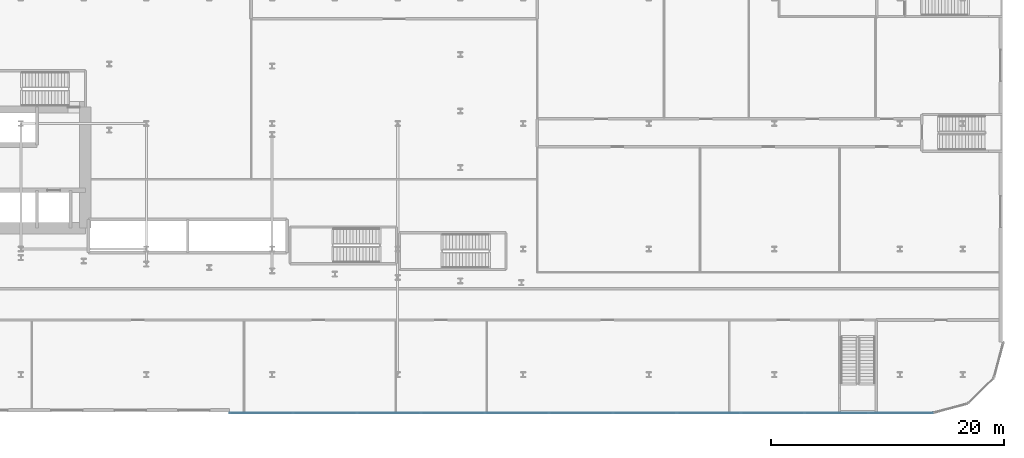
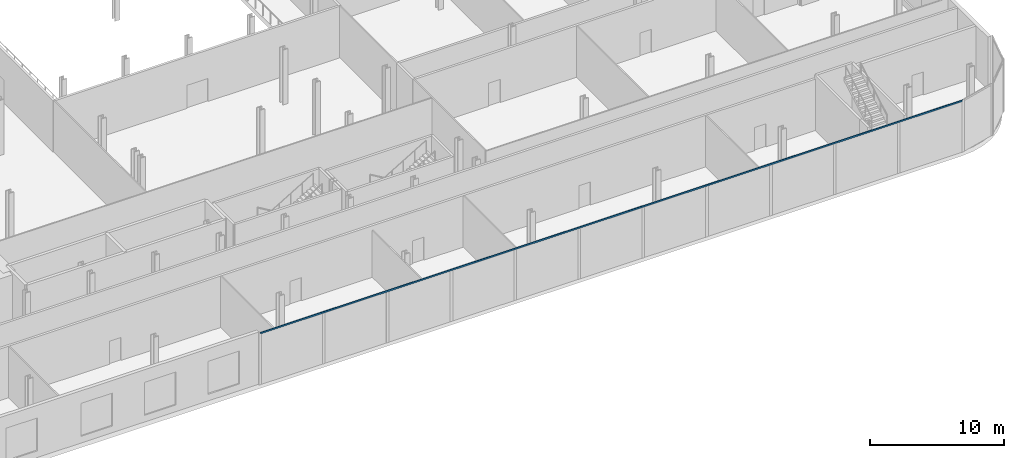
# One storey, part 10 of 47: 1 member, 1 element without a shape of its own.
"""IFC4 building model written with IfcOpenShell, lengths in metres."""

import ifcopenshell
import ifcopenshell.guid

model = None  # the IFC model being written
_history = None  # IfcOwnerHistory: only IFC2X3 demands one
_inside = {}  # id of a spatial element -> (the spatial element, [elements in it])
_under = {}  # id of a project, library or spatial element -> (it, [spatial elements below it])
_declared = {}  # id of a project -> (the project, [libraries it declares])
_typed = {}  # id of a type object -> (the type object, [elements of that type])
_made_of = {}  # id of a material, layer set ... -> (it, [elements and type objects made of it])


def new_model(schema):
    """Start an empty IFC model of exactly this schema.

    Asked for "IFC4X3", IfcOpenShell would pick the latest addendum, in which some entities
    have other attributes; the version numbers below select the first issue.
    IFC2X3 requires an IfcOwnerHistory on every rooted entity: one is made here for all.
    """
    global model, _history
    if schema == "IFC4X3":
        model = ifcopenshell.file(schema_version=(4, 3, 0, 0))
    else:
        model = ifcopenshell.file(schema=schema)
    _inside.clear()
    _under.clear()
    _declared.clear()
    _typed.clear()
    _made_of.clear()
    _history = None
    if model.schema == "IFC2X3":
        org = make("IfcOrganization", Name="unknown")
        user = make(
            "IfcPersonAndOrganization",
            ThePerson=make("IfcPerson", FamilyName="unknown"),
            TheOrganization=org,
        )
        app = make(
            "IfcApplication",
            ApplicationDeveloper=org,
            Version="unknown",
            ApplicationFullName="unknown",
            ApplicationIdentifier="unknown",
        )
        _history = make(
            "IfcOwnerHistory",
            OwningUser=user,
            OwningApplication=app,
            ChangeAction="ADDED",
            CreationDate=0,
        )
    return model


def make(cls, **values):
    """One entity of the class cls with the attributes given. An attribute that is None is left unset."""
    return model.create_entity(
        cls, **{name: value for name, value in values.items() if value is not None}
    )


def rooted(cls, **values):
    """An entity with a GlobalId (a new one), such as an element, a storey or a relation."""
    return make(cls, GlobalId=ifcopenshell.guid.new(), OwnerHistory=_history, **values)


def si_unit(unit_type, name, prefix=None):
    """IfcSIUnit, for example si_unit("LENGTHUNIT", "METRE", prefix="MILLI")."""
    return make("IfcSIUnit", UnitType=unit_type, Prefix=prefix, Name=name)


def assignment(units):
    """IfcUnitAssignment: the units of a project."""
    return None if units is None else make("IfcUnitAssignment", Units=units)


def point(xyz):
    """IfcCartesianPoint."""
    return None if xyz is None else make("IfcCartesianPoint", Coordinates=xyz)


def direction(xyz):
    """IfcDirection."""
    return None if xyz is None else make("IfcDirection", DirectionRatios=xyz)


def frame(location, z_axis=None, x_axis=None):
    """IfcAxis2Placement3D, a coordinate frame: its origin and axes. An axis left out is left unset."""
    return make(
        "IfcAxis2Placement3D",
        Location=point(location),
        Axis=direction(z_axis),
        RefDirection=direction(x_axis),
    )


def frame_2d(location, x_axis=None):
    """IfcAxis2Placement2D, a coordinate frame in the plane: its origin and x axis."""
    return make(
        "IfcAxis2Placement2D", Location=point(location), RefDirection=direction(x_axis)
    )


def origin():
    """The frame at (0, 0, 0) with its axes left unset."""
    return frame((0.0, 0.0, 0.0))


def origin_2d():
    """The frame at (0, 0) in the plane with its x axis left unset."""
    return frame_2d((0.0, 0.0))


def place(relative_to, where):
    """IfcLocalPlacement: puts the frame where relative to a parent placement (None: the world)."""
    return make(
        "IfcLocalPlacement", PlacementRelTo=relative_to, RelativePlacement=where
    )


def context(
    kind, dimensions, precision=None, world=None, true_north=None, identifier=None
):
    """IfcGeometricRepresentationContext, for example the 3D "Model" context."""
    return make(
        "IfcGeometricRepresentationContext",
        ContextIdentifier=identifier,
        ContextType=kind,
        CoordinateSpaceDimension=dimensions,
        Precision=precision,
        WorldCoordinateSystem=world,
        TrueNorth=true_north,
    )


def subcontext(parent, identifier, kind, view, scale=None):
    """IfcGeometricRepresentationSubContext, for example "Body" below "Model"."""
    return make(
        "IfcGeometricRepresentationSubContext",
        ContextIdentifier=identifier,
        ContextType=kind,
        ParentContext=parent,
        TargetScale=scale,
        TargetView=view,
    )


def project(units=None, contexts=None):
    """IfcProject with its units and contexts."""
    return rooted(
        "IfcProject",
        Name="project",
        RepresentationContexts=contexts,
        UnitsInContext=assignment(units),
    )


def spatial(cls, under=None, at=None, **own):
    """A site, building, storey or space (cls), placed at a placement, below another one or the project."""
    s = rooted(cls, ObjectPlacement=at, **own)
    if under is not None:
        _under.setdefault(under.id(), (under, []))[1].append(s)
    return s


def profile(cls, at=None, kind="AREA", **sizes):
    """A parametric profile (cls). Its sizes go by their IFC names, for example OverallWidth=200.0."""
    return make(cls, ProfileType=kind, Position=at, **sizes)


def rectangle(**sizes):
    """IfcRectangleProfileDef."""
    return profile("IfcRectangleProfileDef", **sizes)


def extrude(swept, where, along, depth):
    """IfcExtrudedAreaSolid: the profile swept, set in the frame where, extruded along a direction by depth."""
    return make(
        "IfcExtrudedAreaSolid",
        SweptArea=swept,
        Position=where,
        ExtrudedDirection=direction(along),
        Depth=depth,
    )


def shape(context_of_items, identifier, shape_type, items):
    """IfcShapeRepresentation: the items that make up one representation, for example the "Body"."""
    return make(
        "IfcShapeRepresentation",
        ContextOfItems=context_of_items,
        RepresentationIdentifier=identifier,
        RepresentationType=shape_type,
        Items=items,
    )


def material(Name=None, Category=None):
    """IfcMaterial."""
    return make("IfcMaterial", Name=Name, Category=Category)


def layer(
    of_material, thickness, ventilated=None, Name=None, Category=None, Priority=None
):
    """IfcMaterialLayer: one layer of a wall or slab, of a material (None: an air gap)."""
    return make(
        "IfcMaterialLayer",
        Material=of_material,
        LayerThickness=thickness,
        IsVentilated=ventilated,
        Name=Name,
        Category=Category,
        Priority=Priority,
    )


def layer_set(layers, Name=None):
    """IfcMaterialLayerSet."""
    return make("IfcMaterialLayerSet", MaterialLayers=layers, LayerSetName=Name)


def material_profile(
    of_material, cross_section, Name=None, Category=None, Priority=None
):
    """IfcMaterialProfile: a cross section and its material."""
    return make(
        "IfcMaterialProfile",
        Name=Name,
        Material=of_material,
        Profile=cross_section,
        Priority=Priority,
        Category=Category,
    )


def profile_set(profiles, Name=None, composite=None):
    """IfcMaterialProfileSet."""
    return make(
        "IfcMaterialProfileSet",
        Name=Name,
        MaterialProfiles=profiles,
        CompositeProfile=composite,
    )


def made_of(thing, what):
    """Note that an element or type object is made of a material, layer set ...; save() writes the relation."""
    if what is not None:
        _made_of.setdefault(what.id(), (what, []))[1].append(thing)
    return thing


def type_object(cls, material=None, **own):
    """A type object (cls), such as IfcWallType, which elements share."""
    return made_of(rooted(cls, **own), material)


def element(
    cls,
    number,
    at=None,
    inside=None,
    cuts=None,
    type_object=None,
    material=None,
    context=None,
    identifier="Body",
    shape_type=None,
    held_by="IfcProductDefinitionShape",
    body=None,
    shapes=None,
    **own,
):
    """One element of the class cls, such as IfcWall. Its Tag is "e" and its number.

    at: its placement. inside: the storey or other place that contains it. cuts: it is an
    opening in that element (IfcRelVoidsElement). A single representation is given by context,
    identifier, shape_type and body (its items); several are given by shapes. held_by: the class
    of the entity that holds the representations. save() writes the other relations.
    """
    e = rooted(cls, Tag="e%d" % number, ObjectPlacement=at, **own)
    if body is not None:
        shapes = [shape(context, identifier, shape_type, body)]
    if shapes is not None:
        e.Representation = make(held_by, Representations=shapes)
    if inside is not None:
        _inside.setdefault(inside.id(), (inside, []))[1].append(e)
    if cuts is not None:
        rooted(
            "IfcRelVoidsElement", RelatingBuildingElement=cuts, RelatedOpeningElement=e
        )
    if type_object is not None:
        _typed.setdefault(type_object.id(), (type_object, []))[1].append(e)
    return made_of(e, material)


def aggregate(whole, parts):
    """IfcRelAggregates: a whole, such as a stair, and the parts it consists of."""
    return rooted("IfcRelAggregates", RelatingObject=whole, RelatedObjects=parts)


def save(model, path):
    """Write the relations noted so far, then the file.

    IfcRelAggregates (storeys below a building ...), IfcRelContainedInSpatialStructure (elements
    in a storey), IfcRelDefinesByType, IfcRelAssociatesMaterial and IfcRelDeclares: one each for
    every whole, place, type object, material and project.
    """
    for whole, parts in _under.values():
        aggregate(whole, parts)
    for where, things in _inside.values():
        rooted(
            "IfcRelContainedInSpatialStructure",
            RelatedElements=things,
            RelatingStructure=where,
        )
    for kind, things in _typed.values():
        rooted("IfcRelDefinesByType", RelatedObjects=things, RelatingType=kind)
    for what, things in _made_of.values():
        rooted("IfcRelAssociatesMaterial", RelatedObjects=things, RelatingMaterial=what)
    for by, libraries in _declared.values():
        rooted("IfcRelDeclares", RelatingContext=by, RelatedDefinitions=libraries)
    model.write(path)


model = new_model("IFC4")

# Units and contexts
model_context = context("Model", 3, precision=1e-05, world=origin(), true_north=direction((0.0, 1.0)))
body_context = subcontext(model_context, "Body", "Model", "MODEL_VIEW")
ifc_project = project(units=[si_unit("LENGTHUNIT", "METRE"), si_unit("AREAUNIT", "SQUARE_METRE"), si_unit("VOLUMEUNIT", "CUBIC_METRE"), si_unit("PLANEANGLEUNIT", "RADIAN"), si_unit("MASSUNIT", "GRAM", prefix="KILO")], contexts=[model_context])

# Site, building, storey
site_placement = place(None, origin())
site = spatial("IfcSite", under=ifc_project, at=site_placement, CompositionType="ELEMENT")
building_placement = place(site_placement, origin())
building = spatial("IfcBuilding", under=site, at=building_placement, Name="Kheshtan School and Residences Tower", CompositionType="ELEMENT")
storey_placement = place(building_placement, frame((0.0, 0.0, 7.5)))
storey = spatial("IfcBuildingStorey", under=building, at=storey_placement, Name="L01", CompositionType="ELEMENT", Elevation=7.5)

# Curtain wall, member
ifc_material_1 = material(Name="Clear low-e glass in thermally broken aluminium frame", Category="aluminium")
ifc_layer = layer(ifc_material_1, 0.22509765625)
ifc_layer_set = layer_set([ifc_layer], Name="Curtain wall CW-P")
curtain_wall_type = type_object("IfcCurtainWallType", Name="Curtain wall CW-P", PredefinedType="NOTDEFINED", material=ifc_layer_set)
curtain_wall_placement = place(storey_placement, origin())
curtain_wall = element("IfcCurtainWall", 1, at=curtain_wall_placement, inside=storey, type_object=curtain_wall_type, Name="Curtain wall CWP12", PredefinedType="NOTDEFINED")
ifc_material_2 = material(Name="Thermally broken aluminium, dark bronze anodised", Category="aluminium")
ifc_material_profile = material_profile(ifc_material_2, rectangle(XDim=0.06005859375, YDim=0.139892578125, at=origin_2d()), Name="CW-P transom 60x140")
ifc_profile_set = profile_set([ifc_material_profile], Name="Thermally broken aluminium, dark bronze anodised")
member_type = type_object("IfcMemberType", Name="CW-P transom 60x140", PredefinedType="USERDEFINED", material=ifc_profile_set)
member_placement = place(storey_placement, frame((126.02490234375, 9.89990234375, 4.679931640625), z_axis=(-1.0, 0.0, 0.0), x_axis=(0.0, -1.0, 0.0)))
member = element("IfcMember", 2, at=member_placement, type_object=member_type, Name="CWP12 transom 1", ObjectType="TRANSOM", PredefinedType="USERDEFINED", context=body_context, shape_type="SweptSolid", body=[
    extrude(rectangle(XDim=0.06005859375, YDim=0.139892578125, at=origin_2d()), origin(), (0.0, 0.0, 1.0), 60.44482421875),
])
aggregate(curtain_wall, [member])

save(model, "model.ifc")
